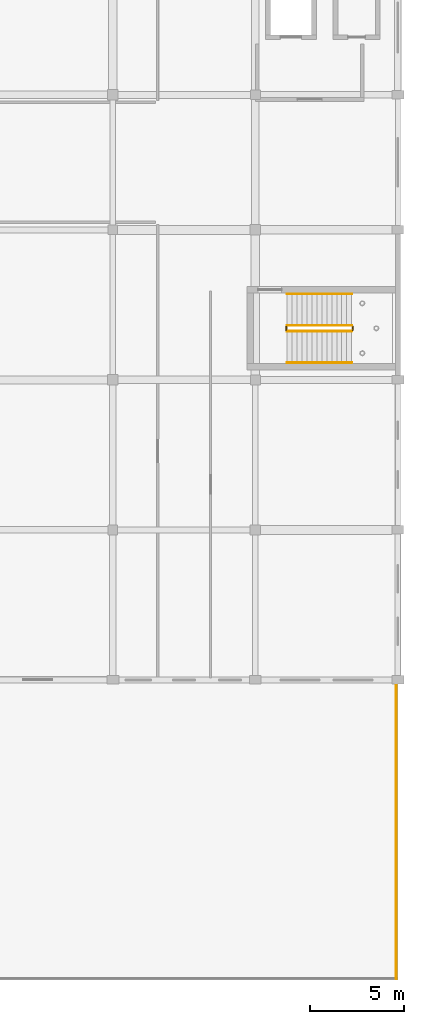
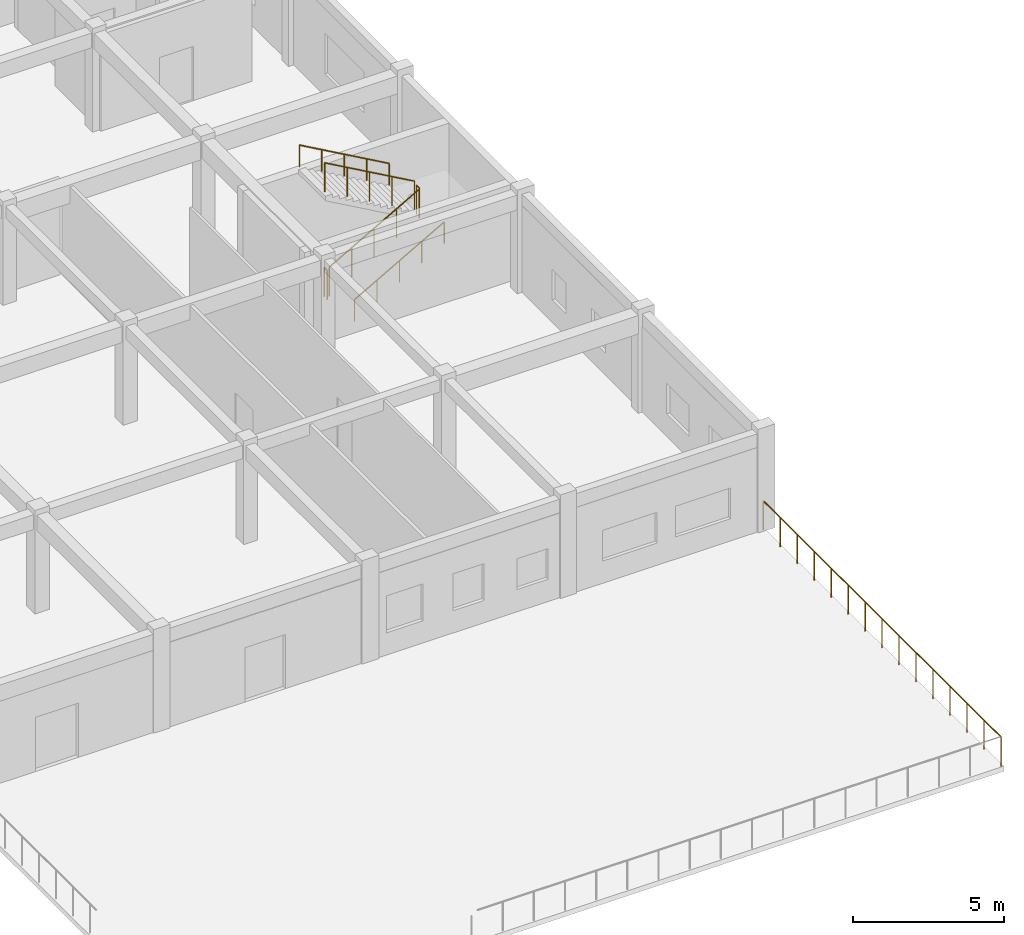
# One storey, part 19 of 19: 7 railings.
"""IFC4 building model written with IfcOpenShell, lengths in metres."""

from ifc_helpers import new_model, si_unit, direction, frame, origin, origin_2d, place, context, subcontext, project, spatial, circle, extrude, material, type_object, element, save


model = new_model("IFC4")

# Units and contexts
model_context = context("Model", 3, precision=1e-05, world=origin(), true_north=direction((0.0, 1.0)))
body_context = subcontext(model_context, "Body", "Model", "MODEL_VIEW")
ifc_project = project(units=[si_unit("LENGTHUNIT", "METRE"), si_unit("AREAUNIT", "SQUARE_METRE"), si_unit("VOLUMEUNIT", "CUBIC_METRE"), si_unit("PLANEANGLEUNIT", "RADIAN"), si_unit("MASSUNIT", "GRAM", prefix="KILO")], contexts=[model_context])

# Site, building, storey
site_placement = place(None, origin())
site = spatial("IfcSite", under=ifc_project, at=site_placement, CompositionType="ELEMENT")
building_placement = place(site_placement, origin())
building = spatial("IfcBuilding", under=site, at=building_placement, Name="Kharva Crest Polytechnic", CompositionType="ELEMENT")
storey_placement = place(building_placement, frame((0.0, 0.0, 21.60009765625)))
storey = spatial("IfcBuildingStorey", under=building, at=storey_placement, Name="L05", CompositionType="ELEMENT", Elevation=21.60009765625)

# Railings
ifc_material_1 = material(Name="Anodised aluminium", Category="aluminium")
railing_type_1 = type_object("IfcRailingType", Name="RL-STAIR-GUARD-1200", PredefinedType="GUARDRAIL", material=ifc_material_1)
railing_1_placement = place(storey_placement, frame((178.090087890625, 73.39990234375, 0.14990234375)))
element("IfcRailing", 1, at=railing_1_placement, inside=storey, type_object=railing_type_1, Name="L05 ST-05 stair guard 1", PredefinedType="GUARDRAIL", context=body_context, shape_type="SweptSolid", body=[
    extrude(circle(Radius=0.02392578125, at=origin_2d()), frame((0.0, 0.0, 1.17578125), z_axis=(0.870251367514, 0.0, 0.492607914411), x_axis=(0.0, 1.0, 0.0)), (0.0, 0.0, 1.0), 3.95849609375),
    extrude(circle(Radius=0.02099609375, at=origin_2d()), origin(), (0.0, 0.0, 1.0), 1.15185546875),
    extrude(circle(Radius=0.02099609375, at=origin_2d()), frame((0.861328125, 0.0, 0.487548828125)), (0.0, 0.0, 1.0), 1.15185546875),
    extrude(circle(Radius=0.02099609375, at=origin_2d()), frame((1.722412109375, 0.0, 0.97509765625)), (0.0, 0.0, 1.0), 1.15185546875),
    extrude(circle(Radius=0.02099609375, at=origin_2d()), frame((2.58349609375, 0.0, 1.46240234375)), (0.0, 0.0, 1.0), 1.15185546875),
    extrude(circle(Radius=0.02099609375, at=origin_2d()), frame((3.44482421875, 0.0, 1.949951171875)), (0.0, 0.0, 1.0), 1.15185546875),
])
railing_2_placement = place(storey_placement, frame((181.5849609375, 73.449951171875, 2.099853515625)))
element("IfcRailing", 2, at=railing_2_placement, inside=storey, type_object=railing_type_1, Name="L05 ST-05 stair guard 2", PredefinedType="GUARDRAIL", context=body_context, shape_type="SweptSolid", body=[
    extrude(circle(Radius=0.02392578125, at=origin_2d()), frame((0.0, 0.0, 1.17578125), z_axis=(0.0, 1.0, 0.0), x_axis=(-1.0, 0.0, 0.0)), (0.0, 0.0, 1.0), 0.199951171875),
    extrude(circle(Radius=0.02099609375, at=origin_2d()), origin(), (0.0, 0.0, 1.0), 1.15185546875),
    extrude(circle(Radius=0.02099609375, at=origin_2d()), frame((0.0, 0.199951171875, 0.0)), (0.0, 0.0, 1.0), 1.15185546875),
])
railing_3_placement = place(storey_placement, frame((181.534912109375, 73.699951171875, 2.25)))
element("IfcRailing", 3, at=railing_3_placement, inside=storey, type_object=railing_type_1, Name="L05 ST-05 stair guard 3", PredefinedType="GUARDRAIL", context=body_context, shape_type="SweptSolid", body=[
    extrude(circle(Radius=0.02392578125, at=origin_2d()), frame((0.0, 0.0, 1.17578125), z_axis=(-0.870251367514, 0.0, 0.492607914411), x_axis=(0.0, -1.0, 0.0)), (0.0, 0.0, 1.0), 3.95849609375),
    extrude(circle(Radius=0.02099609375, at=origin_2d()), origin(), (0.0, 0.0, 1.0), 1.15185546875),
    extrude(circle(Radius=0.02099609375, at=origin_2d()), frame((-0.861328125, 0.0, 0.487548828125)), (0.0, 0.0, 1.0), 1.15185546875),
    extrude(circle(Radius=0.02099609375, at=origin_2d()), frame((-1.722412109375, 0.0, 0.97509765625)), (0.0, 0.0, 1.0), 1.15185546875),
    extrude(circle(Radius=0.02099609375, at=origin_2d()), frame((-2.58349609375, 0.0, 1.46240234375)), (0.0, 0.0, 1.0), 1.15185546875),
    extrude(circle(Radius=0.02099609375, at=origin_2d()), frame((-3.44482421875, 0.0, 1.949951171875)), (0.0, 0.0, 1.0), 1.15185546875),
])
railing_4_placement = place(storey_placement, frame((178.0400390625, 73.449951171875, 0.0)))
element("IfcRailing", 4, at=railing_4_placement, inside=storey, type_object=railing_type_1, Name="L05 ST-05 stair guard 4", PredefinedType="GUARDRAIL", context=body_context, shape_type="SweptSolid", body=[
    extrude(circle(Radius=0.02392578125, at=origin_2d()), frame((0.0, 0.0, 1.17578125), z_axis=(0.0, 1.0, 0.0), x_axis=(-1.0, 0.0, 0.0)), (0.0, 0.0, 1.0), 0.199951171875),
    extrude(circle(Radius=0.02099609375, at=origin_2d()), origin(), (0.0, 0.0, 1.0), 1.15185546875),
    extrude(circle(Radius=0.02099609375, at=origin_2d()), frame((0.0, 0.199951171875, 0.0)), (0.0, 0.0, 1.0), 1.15185546875),
])
ifc_material_2 = material(Name="Teak timber", Category="wood")
railing_type_2 = type_object("IfcRailingType", Name="RL-STAIR-HAND-900", PredefinedType="HANDRAIL", material=ifc_material_2)
railing_5_placement = place(storey_placement, frame((178.090087890625, 71.719970703125, 0.14990234375)))
element("IfcRailing", 5, at=railing_5_placement, inside=storey, type_object=railing_type_2, Name="L05 ST-05 stair handrail 1", PredefinedType="HANDRAIL", context=body_context, shape_type="SweptSolid", body=[
    extrude(circle(Radius=0.02392578125, at=origin_2d()), frame((0.0, 0.0, 0.8759765625), z_axis=(0.870251367514, 0.0, 0.492607914411), x_axis=(0.0, 1.0, 0.0)), (0.0, 0.0, 1.0), 3.95849609375),
    extrude(circle(Radius=0.02099609375, at=origin_2d()), origin(), (0.0, 0.0, 1.0), 0.851806640625),
    extrude(circle(Radius=0.02099609375, at=origin_2d()), frame((0.861328125, 0.0, 0.487548828125)), (0.0, 0.0, 1.0), 0.851806640625),
    extrude(circle(Radius=0.02099609375, at=origin_2d()), frame((1.722412109375, 0.0, 0.97509765625)), (0.0, 0.0, 1.0), 0.851806640625),
    extrude(circle(Radius=0.02099609375, at=origin_2d()), frame((2.58349609375, 0.0, 1.46240234375)), (0.0, 0.0, 1.0), 0.851806640625),
    extrude(circle(Radius=0.02099609375, at=origin_2d()), frame((3.44482421875, 0.0, 1.949951171875)), (0.0, 0.0, 1.0), 0.851806640625),
])
railing_6_placement = place(storey_placement, frame((181.534912109375, 75.3798828125, 2.25)))
element("IfcRailing", 6, at=railing_6_placement, inside=storey, type_object=railing_type_2, Name="L05 ST-05 stair handrail 2", PredefinedType="HANDRAIL", context=body_context, shape_type="SweptSolid", body=[
    extrude(circle(Radius=0.02392578125, at=origin_2d()), frame((0.0, 0.0, 0.8759765625), z_axis=(-0.870251367514, 0.0, 0.492607914411), x_axis=(0.0, -1.0, 0.0)), (0.0, 0.0, 1.0), 3.95849609375),
    extrude(circle(Radius=0.02099609375, at=origin_2d()), origin(), (0.0, 0.0, 1.0), 0.851806640625),
    extrude(circle(Radius=0.02099609375, at=origin_2d()), frame((-0.861328125, 0.0, 0.487548828125)), (0.0, 0.0, 1.0), 0.851806640625),
    extrude(circle(Radius=0.02099609375, at=origin_2d()), frame((-1.722412109375, 0.0, 0.97509765625)), (0.0, 0.0, 1.0), 0.851806640625),
    extrude(circle(Radius=0.02099609375, at=origin_2d()), frame((-2.58349609375, 0.0, 1.46240234375)), (0.0, 0.0, 1.0), 0.851806640625),
    extrude(circle(Radius=0.02099609375, at=origin_2d()), frame((-3.44482421875, 0.0, 1.949951171875)), (0.0, 0.0, 1.0), 0.851806640625),
])
railing_type_3 = type_object("IfcRailingType", Name="RL-TERRACE-GUARD-1200", PredefinedType="GUARDRAIL", material=ifc_material_1)
railing_7_placement = place(storey_placement, frame((183.919921875, 38.860107421875, 0.0)))
element("IfcRailing", 7, at=railing_7_placement, inside=storey, type_object=railing_type_3, Name="L05 TER_E_L05 E Balustrade 31", PredefinedType="GUARDRAIL", context=body_context, shape_type="SweptSolid", body=[
    extrude(circle(Radius=0.02392578125, at=origin_2d()), frame((0.0, 0.0, 1.17578125), z_axis=(0.0, 1.0, 0.0), x_axis=(-1.0, 0.0, 0.0)), (0.0, 0.0, 1.0), 15.7998046875),
    extrude(circle(Radius=0.02099609375, at=origin_2d()), origin(), (0.0, 0.0, 1.0), 1.15185546875),
    extrude(circle(Radius=0.02099609375, at=origin_2d()), frame((0.0, 1.128662109375, 0.0)), (0.0, 0.0, 1.0), 1.15185546875),
    extrude(circle(Radius=0.02099609375, at=origin_2d()), frame((0.0, 2.257080078125, 0.0)), (0.0, 0.0, 1.0), 1.15185546875),
    extrude(circle(Radius=0.02099609375, at=origin_2d()), frame((0.0, 3.3857421875, 0.0)), (0.0, 0.0, 1.0), 1.15185546875),
    extrude(circle(Radius=0.02099609375, at=origin_2d()), frame((0.0, 4.51416015625, 0.0)), (0.0, 0.0, 1.0), 1.15185546875),
    extrude(circle(Radius=0.02099609375, at=origin_2d()), frame((0.0, 5.642822265625, 0.0)), (0.0, 0.0, 1.0), 1.15185546875),
    extrude(circle(Radius=0.02099609375, at=origin_2d()), frame((0.0, 6.771240234375, 0.0)), (0.0, 0.0, 1.0), 1.15185546875),
    extrude(circle(Radius=0.02099609375, at=origin_2d()), frame((0.0, 7.89990234375, 0.0)), (0.0, 0.0, 1.0), 1.15185546875),
    extrude(circle(Radius=0.02099609375, at=origin_2d()), frame((0.0, 9.028564453125, 0.0)), (0.0, 0.0, 1.0), 1.15185546875),
    extrude(circle(Radius=0.02099609375, at=origin_2d()), frame((0.0, 10.156982421875, 0.0)), (0.0, 0.0, 1.0), 1.15185546875),
    extrude(circle(Radius=0.02099609375, at=origin_2d()), frame((0.0, 11.28564453125, 0.0)), (0.0, 0.0, 1.0), 1.15185546875),
    extrude(circle(Radius=0.02099609375, at=origin_2d()), frame((0.0, 12.4140625, 0.0)), (0.0, 0.0, 1.0), 1.15185546875),
    extrude(circle(Radius=0.02099609375, at=origin_2d()), frame((0.0, 13.542724609375, 0.0)), (0.0, 0.0, 1.0), 1.15185546875),
    extrude(circle(Radius=0.02099609375, at=origin_2d()), frame((0.0, 14.671142578125, 0.0)), (0.0, 0.0, 1.0), 1.15185546875),
    extrude(circle(Radius=0.02099609375, at=origin_2d()), frame((0.0, 15.7998046875, 0.0)), (0.0, 0.0, 1.0), 1.15185546875),
])

save(model, "model.ifc")
